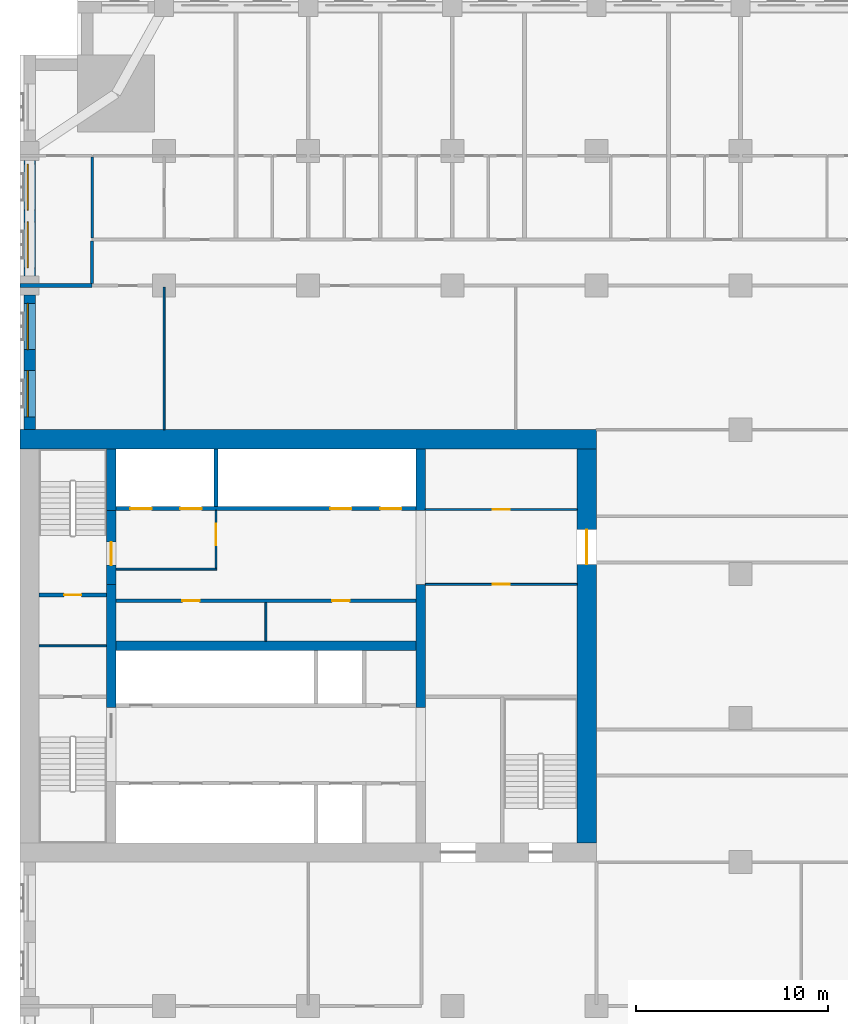
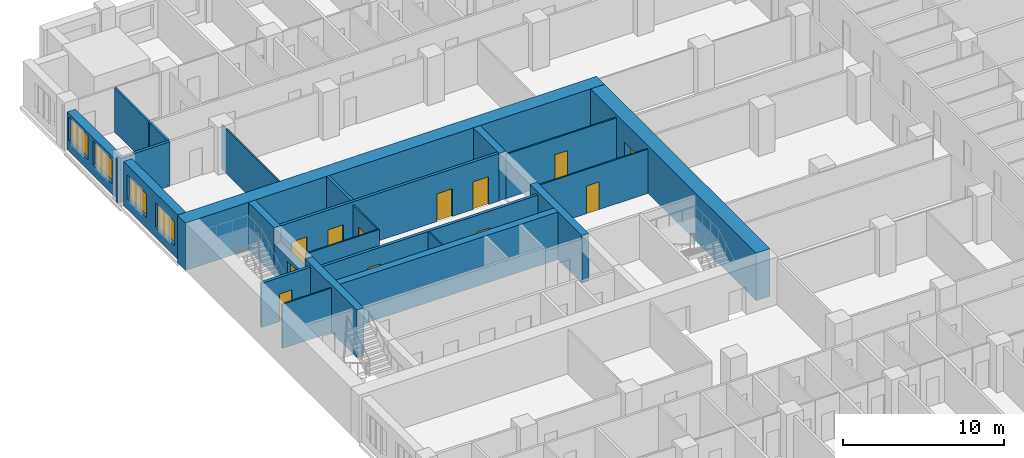
# One storey, part 8 of 15: 24 walls, 12 doors, 4 windows, 16 openings.
"""IFC4 building model written with IfcOpenShell, lengths in metres."""

from ifc_helpers import new_model, si_unit, direction, frame, frame_2d, origin, place, context, subcontext, project, spatial, rectangle, extrude, material, layer, layer_set, type_object, element, fill, save


model = new_model("IFC4")

# Units and contexts
model_context = context("Model", 3, precision=1e-05, world=origin(), true_north=direction((0.0, 1.0)))
body_context = subcontext(model_context, "Body", "Model", "MODEL_VIEW")
ifc_project = project(units=[si_unit("LENGTHUNIT", "METRE"), si_unit("AREAUNIT", "SQUARE_METRE"), si_unit("VOLUMEUNIT", "CUBIC_METRE"), si_unit("PLANEANGLEUNIT", "RADIAN"), si_unit("MASSUNIT", "GRAM", prefix="KILO")], contexts=[model_context])

# Site, building, storey
site_placement = place(None, origin())
site = spatial("IfcSite", under=ifc_project, at=site_placement, CompositionType="ELEMENT")
building_placement = place(site_placement, origin())
building = spatial("IfcBuilding", under=site, at=building_placement, Name="Tamorin Gate", CompositionType="ELEMENT")
storey_placement = place(building_placement, frame((0.0, 0.0, 62.800048828125)))
storey = spatial("IfcBuildingStorey", under=building, at=storey_placement, Name="L14", CompositionType="ELEMENT", Elevation=62.800048828125)

# Wall, openings, windows
ifc_material_1 = material(Name="Precast concrete C40/50", Category="concrete")
ifc_layer_1 = layer(ifc_material_1, 0.60009765625)
ifc_layer_set_1 = layer_set([ifc_layer_1], Name="Precast concrete C40/50")
wall_type_1 = type_object("IfcWallType", Name="Board-marked concrete facade panel 600", PredefinedType="SOLIDWALL", material=ifc_layer_set_1)
wall_1_placement = place(storey_placement, frame((30.5, 96.5, 0.0), z_axis=(0.0, 0.0, 1.0), x_axis=(0.0, -1.0, 0.0)))
wall_1 = element("IfcWall", 1, at=wall_1_placement, inside=storey, type_object=wall_type_1, Name="Facade panel", PredefinedType="SOLIDWALL", context=body_context, shape_type="SweptSolid", body=[
    extrude(rectangle(XDim=6.0, YDim=0.60009765625, at=frame_2d((3.0, 0.0))), origin(), (0.0, 0.0, 1.0), 2.849853515625),
])
opening_1_placement = place(wall_1_placement, frame((3.175048828125, 0.0, 0.800048828125)))
opening_1 = element("IfcOpeningElement", 2, at=opening_1_placement, cuts=wall_1, Name="Opening WN1", PredefinedType="OPENING", context=body_context, shape_type="SweptSolid", body=[
    extrude(rectangle(XDim=2.39990234375, YDim=1.800048828125, at=frame_2d((1.199951171875, 0.89990234375))), frame((0.0, 0.31005859375, 0.0), z_axis=(0.0, -1.0, 0.0), x_axis=(1.0, 0.0, 0.0)), (0.0, 0.0, 1.0), 0.6201171875),
])
opening_2_placement = place(wall_1_placement, frame((0.175048828125, 0.0, 0.800048828125)))
opening_2 = element("IfcOpeningElement", 3, at=opening_2_placement, cuts=wall_1, Name="Opening WN1", PredefinedType="OPENING", context=body_context, shape_type="SweptSolid", body=[
    extrude(rectangle(XDim=2.39990234375, YDim=1.800048828125, at=frame_2d((1.199951171875, 0.89990234375))), frame((0.0, 0.31005859375, 0.0), z_axis=(0.0, -1.0, 0.0), x_axis=(1.0, 0.0, 0.0)), (0.0, 0.0, 1.0), 0.6201171875),
])
ifc_material_2 = material(Name="Clear glass in aluminium frame", Category="aluminium")
window_type = type_object("IfcWindowType", Name="Deep-set window 2400x1800", PartitioningType="SINGLE_PANEL", PredefinedType="WINDOW", material=ifc_material_2)
window_1_placement = place(opening_1_placement, origin())
window_1 = element("IfcWindow", 4, at=window_1_placement, inside=storey, type_object=window_type, Name="Deep-set window", OverallHeight=1.800048828125, OverallWidth=2.39990234375, PartitioningType="SINGLE_PANEL", PredefinedType="WINDOW", context=body_context, shape_type="SweptSolid", body=[
    extrude(rectangle(XDim=2.39990234375, YDim=1.800048828125, at=frame_2d((1.199951171875, 0.89990234375))), frame((0.0, -0.070068359375, 0.0), z_axis=(0.0, -1.0, 0.0), x_axis=(1.0, 0.0, 0.0)), (0.0, 0.0, 1.0), 0.06005859375),
])
fill(opening_1, window_1)
window_2_placement = place(opening_2_placement, origin())
window_2 = element("IfcWindow", 5, at=window_2_placement, inside=storey, type_object=window_type, Name="Deep-set window", OverallHeight=1.800048828125, OverallWidth=2.39990234375, PartitioningType="SINGLE_PANEL", PredefinedType="WINDOW", context=body_context, shape_type="SweptSolid", body=[
    extrude(rectangle(XDim=2.39990234375, YDim=1.800048828125, at=frame_2d((1.199951171875, 0.89990234375))), frame((0.0, -0.070068359375, 0.0), z_axis=(0.0, -1.0, 0.0), x_axis=(1.0, 0.0, 0.0)), (0.0, 0.0, 1.0), 0.06005859375),
])
fill(opening_2, window_2)

wall_2_placement = place(storey_placement, frame((30.5, 89.5, 0.0), z_axis=(0.0, 0.0, 1.0), x_axis=(0.0, -1.0, 0.0)))
wall_2 = element("IfcWall", 6, at=wall_2_placement, inside=storey, type_object=wall_type_1, Name="Facade panel", PredefinedType="SOLIDWALL", context=body_context, shape_type="SweptSolid", body=[
    extrude(rectangle(XDim=7.0, YDim=0.60009765625, at=frame_2d((3.5, 0.0))), origin(), (0.0, 0.0, 1.0), 3.349853515625),
])
opening_3_placement = place(wall_2_placement, frame((3.925048828125, 0.0, 0.800048828125)))
opening_3 = element("IfcOpeningElement", 7, at=opening_3_placement, cuts=wall_2, Name="Opening WN1", PredefinedType="OPENING", context=body_context, shape_type="SweptSolid", body=[
    extrude(rectangle(XDim=2.39990234375, YDim=1.800048828125, at=frame_2d((1.199951171875, 0.89990234375))), frame((0.0, 0.31005859375, 0.0), z_axis=(0.0, -1.0, 0.0), x_axis=(1.0, 0.0, 0.0)), (0.0, 0.0, 1.0), 0.6201171875),
])
opening_4_placement = place(wall_2_placement, frame((0.425048828125, 0.0, 0.800048828125)))
opening_4 = element("IfcOpeningElement", 8, at=opening_4_placement, cuts=wall_2, Name="Opening WN1", PredefinedType="OPENING", context=body_context, shape_type="SweptSolid", body=[
    extrude(rectangle(XDim=2.39990234375, YDim=1.800048828125, at=frame_2d((1.199951171875, 0.89990234375))), frame((0.0, 0.31005859375, 0.0), z_axis=(0.0, -1.0, 0.0), x_axis=(1.0, 0.0, 0.0)), (0.0, 0.0, 1.0), 0.6201171875),
])
window_3_placement = place(opening_3_placement, origin())
window_3 = element("IfcWindow", 9, at=window_3_placement, inside=storey, type_object=window_type, Name="Deep-set window", OverallHeight=1.800048828125, OverallWidth=2.39990234375, PartitioningType="SINGLE_PANEL", PredefinedType="WINDOW", context=body_context, shape_type="SweptSolid", body=[
    extrude(rectangle(XDim=2.39990234375, YDim=1.800048828125, at=frame_2d((1.199951171875, 0.89990234375))), frame((0.0, -0.070068359375, 0.0), z_axis=(0.0, -1.0, 0.0), x_axis=(1.0, 0.0, 0.0)), (0.0, 0.0, 1.0), 0.06005859375),
])
fill(opening_3, window_3)
window_4_placement = place(opening_4_placement, origin())
window_4 = element("IfcWindow", 10, at=window_4_placement, inside=storey, type_object=window_type, Name="Deep-set window", OverallHeight=1.800048828125, OverallWidth=2.39990234375, PartitioningType="SINGLE_PANEL", PredefinedType="WINDOW", context=body_context, shape_type="SweptSolid", body=[
    extrude(rectangle(XDim=2.39990234375, YDim=1.800048828125, at=frame_2d((1.199951171875, 0.89990234375))), frame((0.0, -0.070068359375, 0.0), z_axis=(0.0, -1.0, 0.0), x_axis=(1.0, 0.0, 0.0)), (0.0, 0.0, 1.0), 0.06005859375),
])
fill(opening_4, window_4)

# Walls
ifc_material_3 = material(Name="Gypsum board partition")
ifc_layer_2 = layer(ifc_material_3, 0.14990234375)
ifc_layer_set_2 = layer_set([ifc_layer_2], Name="Corridor wall 150")
wall_type_2 = type_object("IfcWallType", Name="Corridor wall 150", PredefinedType="PARTITIONING", material=ifc_layer_set_2)
wall_3_placement = place(storey_placement, frame((33.75, 90.10009765625, 0.0), z_axis=(0.0, 0.0, 1.0), x_axis=(0.0, 1.0, 0.0)))
element("IfcWall", 11, at=wall_3_placement, inside=storey, type_object=wall_type_2, Name="Corridor wall 150", PredefinedType="PARTITIONING", context=body_context, shape_type="SweptSolid", body=[
    extrude(rectangle(XDim=2.224853515625, YDim=0.14990234375, at=frame_2d((1.1123046875, 0.0))), origin(), (0.0, 0.0, 1.0), 3.349853515625),
])
ifc_layer_3 = layer(ifc_material_3, 0.199951171875)
ifc_layer_set_3 = layer_set([ifc_layer_3], Name="Demising wall 200")
wall_type_3 = type_object("IfcWallType", Name="Demising wall 200", PredefinedType="PARTITIONING", material=ifc_layer_set_3)
wall_4_placement = place(storey_placement, frame((30.0, 90.0, 0.0), z_axis=(0.0, 0.0, 1.0), x_axis=(1.0, 0.0, 0.0)))
element("IfcWall", 12, at=wall_4_placement, inside=storey, type_object=wall_type_3, Name="Demising wall 200", PredefinedType="PARTITIONING", context=body_context, shape_type="SweptSolid", body=[
    extrude(rectangle(XDim=3.75, YDim=0.199951171875, at=frame_2d((1.875, 0.0))), origin(), (0.0, 0.0, 1.0), 3.349853515625),
])

# Wall, openings, doors
ifc_material_4 = material(Name="Concrete C32/40", Category="concrete")
ifc_layer_4 = layer(ifc_material_4, 0.199951171875)
ifc_layer_set_4 = layer_set([ifc_layer_4], Name="Lift lobby face wall 200 EI 120")
wall_type_4 = type_object("IfcWallType", Name="Lift lobby face wall 200 EI 120", PredefinedType="SOLIDWALL", material=ifc_layer_set_4)
wall_5_placement = place(storey_placement, frame((35.0, 78.39990234375, 0.0), z_axis=(0.0, 0.0, 1.0), x_axis=(1.0, 0.0, 0.0)))
wall_5 = element("IfcWall", 13, at=wall_5_placement, inside=storey, type_object=wall_type_4, Name="Lift lobby face wall", PredefinedType="SOLIDWALL", context=body_context, shape_type="SweptSolid", body=[
    extrude(rectangle(XDim=15.60009765625, YDim=0.199951171875, at=frame_2d((7.800048828125, 0.0))), origin(), (0.0, 0.0, 1.0), 3.599853515625),
])
opening_5_placement = place(wall_5_placement, frame((0.75, 0.0, 0.0)))
opening_5 = element("IfcOpeningElement", 14, at=opening_5_placement, cuts=wall_5, Name="Opening LD17", PredefinedType="OPENING", context=body_context, shape_type="SweptSolid", body=[
    extrude(rectangle(XDim=1.10009765625, YDim=2.10009765625, at=frame_2d((0.550048828125, 1.050048828125))), frame((0.0, 0.10986328125, 0.0), z_axis=(0.0, -1.0, 0.0), x_axis=(1.0, 0.0, 0.0)), (0.0, 0.0, 1.0), 0.219970703125),
])
opening_6_placement = place(wall_5_placement, frame((3.35009765625, 0.0, 0.0)))
opening_6 = element("IfcOpeningElement", 15, at=opening_6_placement, cuts=wall_5, Name="Opening LD18", PredefinedType="OPENING", context=body_context, shape_type="SweptSolid", body=[
    extrude(rectangle(XDim=1.10009765625, YDim=2.10009765625, at=frame_2d((0.550048828125, 1.050048828125))), frame((0.0, 0.10986328125, 0.0), z_axis=(0.0, -1.0, 0.0), x_axis=(1.0, 0.0, 0.0)), (0.0, 0.0, 1.0), 0.219970703125),
])
opening_7_placement = place(wall_5_placement, frame((11.14990234375, 0.0, 0.0)))
opening_7 = element("IfcOpeningElement", 16, at=opening_7_placement, cuts=wall_5, Name="Opening LD21", PredefinedType="OPENING", context=body_context, shape_type="SweptSolid", body=[
    extrude(rectangle(XDim=1.10009765625, YDim=2.10009765625, at=frame_2d((0.550048828125, 1.050048828125))), frame((0.0, 0.10986328125, 0.0), z_axis=(0.0, -1.0, 0.0), x_axis=(1.0, 0.0, 0.0)), (0.0, 0.0, 1.0), 0.219970703125),
])
opening_8_placement = place(wall_5_placement, frame((13.75, 0.0, 0.0)))
opening_8 = element("IfcOpeningElement", 17, at=opening_8_placement, cuts=wall_5, Name="Opening LD22", PredefinedType="OPENING", context=body_context, shape_type="SweptSolid", body=[
    extrude(rectangle(XDim=1.10009765625, YDim=2.10009765625, at=frame_2d((0.550048828125, 1.050048828125))), frame((0.0, 0.10986328125, 0.0), z_axis=(0.0, -1.0, 0.0), x_axis=(1.0, 0.0, 0.0)), (0.0, 0.0, 1.0), 0.219970703125),
])
ifc_material_5 = material(Name="Stainless steel sliding door", Category="steel")
door_type_1 = type_object("IfcDoorType", Name="Lift landing door 1100 x 2100 E 90", OperationType="DOUBLE_DOOR_SLIDING", PredefinedType="DOOR", material=ifc_material_5)
door_1_placement = place(opening_5_placement, origin())
door_1 = element("IfcDoor", 18, at=door_1_placement, inside=storey, type_object=door_type_1, Name="FF1 landing door", OperationType="DOUBLE_DOOR_SLIDING", OverallHeight=2.10009765625, OverallWidth=1.10009765625, PredefinedType="DOOR", context=body_context, shape_type="SweptSolid", body=[
    extrude(rectangle(XDim=1.10009765625, YDim=2.10009765625, at=frame_2d((0.550048828125, 1.050048828125))), frame((0.0, 0.02490234375, 0.0), z_axis=(0.0, -1.0, 0.0), x_axis=(1.0, 0.0, 0.0)), (0.0, 0.0, 1.0), 0.050048828125),
])
fill(opening_5, door_1)
door_2_placement = place(opening_6_placement, origin())
door_2 = element("IfcDoor", 19, at=door_2_placement, inside=storey, type_object=door_type_1, Name="FF2 landing door", OperationType="DOUBLE_DOOR_SLIDING", OverallHeight=2.10009765625, OverallWidth=1.10009765625, PredefinedType="DOOR", context=body_context, shape_type="SweptSolid", body=[
    extrude(rectangle(XDim=1.10009765625, YDim=2.10009765625, at=frame_2d((0.550048828125, 1.050048828125))), frame((0.0, 0.02490234375, 0.0), z_axis=(0.0, -1.0, 0.0), x_axis=(1.0, 0.0, 0.0)), (0.0, 0.0, 1.0), 0.050048828125),
])
fill(opening_6, door_2)
door_3_placement = place(opening_7_placement, origin())
door_3 = element("IfcDoor", 20, at=door_3_placement, inside=storey, type_object=door_type_1, Name="SV1 landing door", OperationType="DOUBLE_DOOR_SLIDING", OverallHeight=2.10009765625, OverallWidth=1.10009765625, PredefinedType="DOOR", context=body_context, shape_type="SweptSolid", body=[
    extrude(rectangle(XDim=1.10009765625, YDim=2.10009765625, at=frame_2d((0.550048828125, 1.050048828125))), frame((0.0, 0.02490234375, 0.0), z_axis=(0.0, -1.0, 0.0), x_axis=(1.0, 0.0, 0.0)), (0.0, 0.0, 1.0), 0.050048828125),
])
fill(opening_7, door_3)
door_4_placement = place(opening_8_placement, origin())
door_4 = element("IfcDoor", 21, at=door_4_placement, inside=storey, type_object=door_type_1, Name="SV2 landing door", OperationType="DOUBLE_DOOR_SLIDING", OverallHeight=2.10009765625, OverallWidth=1.10009765625, PredefinedType="DOOR", context=body_context, shape_type="SweptSolid", body=[
    extrude(rectangle(XDim=1.10009765625, YDim=2.10009765625, at=frame_2d((0.550048828125, 1.050048828125))), frame((0.0, 0.02490234375, 0.0), z_axis=(0.0, -1.0, 0.0), x_axis=(1.0, 0.0, 0.0)), (0.0, 0.0, 1.0), 0.050048828125),
])
fill(opening_8, door_4)

# Walls
ifc_layer_5 = layer(ifc_material_4, 0.199951171875)
ifc_layer_set_5 = layer_set([ifc_layer_5], Name="Lift shaft wall 200 EI 120")
wall_type_5 = type_object("IfcWallType", Name="Lift shaft wall 200 EI 120", PredefinedType="SOLIDWALL", material=ifc_layer_set_5)
wall_6_placement = place(storey_placement, frame((40.199951171875, 78.5, 0.0), z_axis=(0.0, 0.0, 1.0), x_axis=(0.0, 1.0, 0.0)))
element("IfcWall", 22, at=wall_6_placement, inside=storey, type_object=wall_type_5, Name="Lift shaft wall", PredefinedType="SOLIDWALL", context=body_context, shape_type="SweptSolid", body=[
    extrude(rectangle(XDim=3.0, YDim=0.199951171875, at=frame_2d((1.5, 0.0))), origin(), (0.0, 0.0, 1.0), 3.599853515625),
])
ifc_material_6 = material(Name="Fire-rated gypsum board partition")
ifc_layer_6 = layer(ifc_material_6, 0.10009765625)
ifc_layer_set_6 = layer_set([ifc_layer_6], Name="Lobby wall 100 EI 60")
wall_type_6 = type_object("IfcWallType", Name="Lobby wall 100 EI 60", PredefinedType="PARTITIONING", material=ifc_layer_set_6)
wall_7_placement = place(storey_placement, frame((35.0, 75.25, 0.0), z_axis=(0.0, 0.0, 1.0), x_axis=(1.0, 0.0, 0.0)))
element("IfcWall", 23, at=wall_7_placement, inside=storey, type_object=wall_type_6, Name="Firefighting lobby wall", PredefinedType="PARTITIONING", context=body_context, shape_type="SweptSolid", body=[
    extrude(rectangle(XDim=5.25, YDim=0.10009765625, at=frame_2d((2.625, 0.0))), origin(), (0.0, 0.0, 1.0), 3.349853515625),
])

# Wall, opening, door
wall_8_placement = place(storey_placement, frame((40.199951171875, 75.300048828125, 0.0), z_axis=(0.0, 0.0, 1.0), x_axis=(0.0, 1.0, 0.0)))
wall_8 = element("IfcWall", 24, at=wall_8_placement, inside=storey, type_object=wall_type_6, Name="Firefighting lobby wall", PredefinedType="PARTITIONING", context=body_context, shape_type="SweptSolid", body=[
    extrude(rectangle(XDim=3.0, YDim=0.10009765625, at=frame_2d((1.5, 0.0))), origin(), (0.0, 0.0, 1.0), 3.349853515625),
])
opening_9_placement = place(wall_8_placement, frame((1.199951171875, 0.0, 0.0)))
opening_9 = element("IfcOpeningElement", 25, at=opening_9_placement, cuts=wall_8, Name="Opening DF1", PredefinedType="OPENING", context=body_context, shape_type="SweptSolid", body=[
    extrude(rectangle(XDim=1.10009765625, YDim=2.10009765625, at=frame_2d((0.550048828125, 1.050048828125))), frame((0.0, 0.06005859375, 0.0), z_axis=(0.0, -1.0, 0.0), x_axis=(1.0, 0.0, 0.0)), (0.0, 0.0, 1.0), 0.1201171875),
])
ifc_material_7 = material(Name="Steel fire door", Category="steel")
door_type_2 = type_object("IfcDoorType", Name="Firefighting lobby door 1100 x 2100 EI 90", OperationType="SINGLE_SWING_LEFT", PredefinedType="DOOR", material=ifc_material_7)
door_5_placement = place(opening_9_placement, origin())
door_5 = element("IfcDoor", 26, at=door_5_placement, inside=storey, type_object=door_type_2, Name="Firefighting lobby door", OperationType="SINGLE_SWING_LEFT", OverallHeight=2.10009765625, OverallWidth=1.10009765625, PredefinedType="DOOR", context=body_context, shape_type="SweptSolid", body=[
    extrude(rectangle(XDim=1.10009765625, YDim=2.10009765625, at=frame_2d((0.550048828125, 1.050048828125))), frame((0.0, 0.02490234375, 0.0), z_axis=(0.0, -1.0, 0.0), x_axis=(1.0, 0.0, 0.0)), (0.0, 0.0, 1.0), 0.050048828125),
])
fill(opening_9, door_5)

# Walls
ifc_material_8 = material(Name="Concrete C80/95", Category="concrete")
ifc_layer_7 = layer(ifc_material_8, 0.5)
ifc_layer_set_7 = layer_set([ifc_layer_7], Name="RC core internal wall 500 C80/95")
wall_type_7 = type_object("IfcWallType", Name="RC core internal wall 500 C80/95", PredefinedType="SHEAR", material=ifc_layer_set_7)
wall_9_placement = place(storey_placement, frame((35.0, 71.25, 0.0), z_axis=(0.0, 0.0, 1.0), x_axis=(1.0, 0.0, 0.0)))
element("IfcWall", 27, at=wall_9_placement, inside=storey, type_object=wall_type_7, Name="Core spine wall L14", PredefinedType="SHEAR", context=body_context, shape_type="SweptSolid", body=[
    extrude(rectangle(XDim=15.60009765625, YDim=0.5, at=frame_2d((7.800048828125, 0.0))), origin(), (0.0, 0.0, 1.0), 3.599853515625),
])
wall_10_placement = place(storey_placement, frame((34.75, 68.050048828125, 0.0), z_axis=(0.0, 0.0, 1.0), x_axis=(0.0, 1.0, 0.0)))
element("IfcWall", 28, at=wall_10_placement, inside=storey, type_object=wall_type_7, Name="Core cross wall L14", PredefinedType="SHEAR", context=body_context, shape_type="SweptSolid", body=[
    extrude(rectangle(XDim=6.39990234375, YDim=0.5, at=frame_2d((3.199951171875, 0.0))), origin(), (0.0, 0.0, 1.0), 3.599853515625),
])
wall_11_placement = place(storey_placement, frame((34.75, 78.300048828125, 0.0), z_axis=(0.0, 0.0, 1.0), x_axis=(0.0, 1.0, 0.0)))
element("IfcWall", 29, at=wall_11_placement, inside=storey, type_object=wall_type_7, Name="Core cross wall L14", PredefinedType="SHEAR", context=body_context, shape_type="SweptSolid", body=[
    extrude(rectangle(XDim=3.199951171875, YDim=0.5, at=frame_2d((1.60009765625, 0.0))), origin(), (0.0, 0.0, 1.0), 3.599853515625),
])
wall_12_placement = place(storey_placement, frame((50.85009765625, 68.050048828125, 0.0), z_axis=(0.0, 0.0, 1.0), x_axis=(0.0, 1.0, 0.0)))
element("IfcWall", 30, at=wall_12_placement, inside=storey, type_object=wall_type_7, Name="Core cross wall L14", PredefinedType="SHEAR", context=body_context, shape_type="SweptSolid", body=[
    extrude(rectangle(XDim=6.39990234375, YDim=0.5, at=frame_2d((3.199951171875, 0.0))), origin(), (0.0, 0.0, 1.0), 3.599853515625),
])
wall_13_placement = place(storey_placement, frame((50.85009765625, 78.300048828125, 0.0), z_axis=(0.0, 0.0, 1.0), x_axis=(0.0, 1.0, 0.0)))
element("IfcWall", 31, at=wall_13_placement, inside=storey, type_object=wall_type_7, Name="Core cross wall L14", PredefinedType="SHEAR", context=body_context, shape_type="SweptSolid", body=[
    extrude(rectangle(XDim=3.199951171875, YDim=0.5, at=frame_2d((1.60009765625, 0.0))), origin(), (0.0, 0.0, 1.0), 3.599853515625),
])
ifc_layer_8 = layer(ifc_material_8, 1.0)
ifc_layer_set_8 = layer_set([ifc_layer_8], Name="RC core wall 1000 C80/95")
wall_type_8 = type_object("IfcWallType", Name="RC core wall 1000 C80/95", PredefinedType="SHEAR", material=ifc_layer_set_8)
wall_14_placement = place(storey_placement, frame((30.0, 82.0, 0.0), z_axis=(0.0, 0.0, 1.0), x_axis=(1.0, 0.0, 0.0)))
element("IfcWall", 32, at=wall_14_placement, inside=storey, type_object=wall_type_8, Name="Core wall L14", PredefinedType="SHEAR", context=body_context, shape_type="SweptSolid", body=[
    extrude(rectangle(XDim=30.0, YDim=1.0, at=frame_2d((15.0, 0.0))), origin(), (0.0, 0.0, 1.0), 3.599853515625),
])

# Wall, opening, door
wall_15_placement = place(storey_placement, frame((59.5, 61.0, 0.0), z_axis=(0.0, 0.0, 1.0), x_axis=(0.0, 1.0, 0.0)))
wall_15 = element("IfcWall", 33, at=wall_15_placement, inside=storey, type_object=wall_type_8, Name="Core wall L14", PredefinedType="SHEAR", context=body_context, shape_type="SweptSolid", body=[
    extrude(rectangle(XDim=20.5, YDim=1.0, at=frame_2d((10.25, 0.0))), origin(), (0.0, 0.0, 1.0), 3.599853515625),
])
opening_10_placement = place(wall_15_placement, frame((14.5, 0.0, 0.0)))
opening_10 = element("IfcOpeningElement", 34, at=opening_10_placement, cuts=wall_15, Name="Opening DE1", PredefinedType="OPENING", context=body_context, shape_type="SweptSolid", body=[
    extrude(rectangle(XDim=1.800048828125, YDim=2.10009765625, at=frame_2d((0.89990234375, 1.050048828125))), frame((0.0, 0.510009765625, 0.0), z_axis=(0.0, -1.0, 0.0), x_axis=(1.0, 0.0, 0.0)), (0.0, 0.0, 1.0), 1.02001953125),
])
door_type_3 = type_object("IfcDoorType", Name="Lobby exit double door 1800 x 2100 EI 60", OperationType="DOUBLE_DOOR_SINGLE_SWING", PredefinedType="DOOR", material=ifc_material_7)
door_6_placement = place(opening_10_placement, origin())
door_6 = element("IfcDoor", 35, at=door_6_placement, inside=storey, type_object=door_type_3, Name="Lift lobby B exit door", OperationType="DOUBLE_DOOR_SINGLE_SWING", OverallHeight=2.10009765625, OverallWidth=1.800048828125, PredefinedType="DOOR", context=body_context, shape_type="SweptSolid", body=[
    extrude(rectangle(XDim=1.800048828125, YDim=2.10009765625, at=frame_2d((0.89990234375, 1.050048828125))), frame((0.0, 0.02490234375, 0.0), z_axis=(0.0, -1.0, 0.0), x_axis=(1.0, 0.0, 0.0)), (0.0, 0.0, 1.0), 0.050048828125),
])
fill(opening_10, door_6)

# Walls
ifc_layer_9 = layer(ifc_material_6, 0.10009765625)
ifc_layer_set_9 = layer_set([ifc_layer_9], Name="Riser partition 100 EI 120")
wall_type_9 = type_object("IfcWallType", Name="Riser partition 100 EI 120", PredefinedType="PARTITIONING", material=ifc_layer_set_9)
wall_16_placement = place(storey_placement, frame((31.0, 71.25, 0.0), z_axis=(0.0, 0.0, 1.0), x_axis=(1.0, 0.0, 0.0)))
element("IfcWall", 36, at=wall_16_placement, inside=storey, type_object=wall_type_9, Name="Riser partition", PredefinedType="PARTITIONING", context=body_context, shape_type="SweptSolid", body=[
    extrude(rectangle(XDim=3.5, YDim=0.10009765625, at=frame_2d((1.75, 0.0))), origin(), (0.0, 0.0, 1.0), 3.349853515625),
])
ifc_layer_10 = layer(ifc_material_3, 0.10009765625)
ifc_layer_set_10 = layer_set([ifc_layer_10], Name="Room partition 100")
wall_type_10 = type_object("IfcWallType", Name="Room partition 100", PredefinedType="PARTITIONING", material=ifc_layer_set_10)
wall_17_placement = place(storey_placement, frame((37.5, 82.5, 0.0), z_axis=(0.0, 0.0, 1.0), x_axis=(0.0, 1.0, 0.0)))
element("IfcWall", 37, at=wall_17_placement, inside=storey, type_object=wall_type_10, Name="Room partition 100", PredefinedType="PARTITIONING", context=body_context, shape_type="SweptSolid", body=[
    extrude(rectangle(XDim=7.425048828125, YDim=0.10009765625, at=frame_2d((3.71240234375, 0.0))), origin(), (0.0, 0.0, 1.0), 3.349853515625),
])

# Wall, openings, doors
ifc_layer_11 = layer(ifc_material_3, 0.199951171875)
ifc_layer_set_11 = layer_set([ifc_layer_11], Name="Service room face wall 200 EI 60")
wall_type_11 = type_object("IfcWallType", Name="Service room face wall 200 EI 60", PredefinedType="PARTITIONING", material=ifc_layer_set_11)
wall_18_placement = place(storey_placement, frame((35.0, 73.60009765625, 0.0), z_axis=(0.0, 0.0, 1.0), x_axis=(1.0, 0.0, 0.0)))
wall_18 = element("IfcWall", 38, at=wall_18_placement, inside=storey, type_object=wall_type_11, Name="Service room face wall", PredefinedType="PARTITIONING", context=body_context, shape_type="SweptSolid", body=[
    extrude(rectangle(XDim=15.60009765625, YDim=0.199951171875, at=frame_2d((7.800048828125, 0.0))), origin(), (0.0, 0.0, 1.0), 3.349853515625),
])
opening_11_placement = place(wall_18_placement, frame((3.449951171875, 0.0, 0.0)))
opening_11 = element("IfcOpeningElement", 39, at=opening_11_placement, cuts=wall_18, Name="Opening DK1", PredefinedType="OPENING", context=body_context, shape_type="SweptSolid", body=[
    extrude(rectangle(XDim=0.89990234375, YDim=2.10009765625, at=frame_2d((0.449951171875, 1.050048828125))), frame((0.0, 0.10986328125, 0.0), z_axis=(0.0, -1.0, 0.0), x_axis=(1.0, 0.0, 0.0)), (0.0, 0.0, 1.0), 0.219970703125),
])
opening_12_placement = place(wall_18_placement, frame((11.25, 0.0, 0.0)))
opening_12 = element("IfcOpeningElement", 40, at=opening_12_placement, cuts=wall_18, Name="Opening DK1", PredefinedType="OPENING", context=body_context, shape_type="SweptSolid", body=[
    extrude(rectangle(XDim=0.89990234375, YDim=2.10009765625, at=frame_2d((0.449951171875, 1.050048828125))), frame((0.0, 0.10986328125, 0.0), z_axis=(0.0, -1.0, 0.0), x_axis=(1.0, 0.0, 0.0)), (0.0, 0.0, 1.0), 0.219970703125),
])
ifc_material_9 = material(Name="Timber fire door", Category="wood")
door_type_4 = type_object("IfcDoorType", Name="Service room door 900 x 2100 EI 60", OperationType="SINGLE_SWING_LEFT", PredefinedType="DOOR", material=ifc_material_9)
door_7_placement = place(opening_11_placement, origin())
door_7 = element("IfcDoor", 41, at=door_7_placement, inside=storey, type_object=door_type_4, Name="Door Housekeeping store", OperationType="SINGLE_SWING_RIGHT", OverallHeight=2.10009765625, OverallWidth=0.89990234375, PredefinedType="DOOR", context=body_context, shape_type="SweptSolid", body=[
    extrude(rectangle(XDim=0.89990234375, YDim=2.10009765625, at=frame_2d((0.449951171875, 1.050048828125))), frame((0.0, 0.02490234375, 0.0), z_axis=(0.0, -1.0, 0.0), x_axis=(1.0, 0.0, 0.0)), (0.0, 0.0, 1.0), 0.050048828125),
])
fill(opening_11, door_7)
door_8_placement = place(opening_12_placement, origin())
door_8 = element("IfcDoor", 42, at=door_8_placement, inside=storey, type_object=door_type_4, Name="Door IT room", OperationType="SINGLE_SWING_LEFT", OverallHeight=2.10009765625, OverallWidth=0.89990234375, PredefinedType="DOOR", context=body_context, shape_type="SweptSolid", body=[
    extrude(rectangle(XDim=0.89990234375, YDim=2.10009765625, at=frame_2d((0.449951171875, 1.050048828125))), frame((0.0, 0.02490234375, 0.0), z_axis=(0.0, -1.0, 0.0), x_axis=(1.0, 0.0, 0.0)), (0.0, 0.0, 1.0), 0.050048828125),
])
fill(opening_12, door_8)

# Wall
ifc_layer_12 = layer(ifc_material_3, 0.10009765625)
ifc_layer_set_12 = layer_set([ifc_layer_12], Name="Service room partition 100 EI 60")
wall_type_12 = type_object("IfcWallType", Name="Service room partition 100 EI 60", PredefinedType="PARTITIONING", material=ifc_layer_set_12)
wall_19_placement = place(storey_placement, frame((42.800048828125, 71.5, 0.0), z_axis=(0.0, 0.0, 1.0), x_axis=(0.0, 1.0, 0.0)))
element("IfcWall", 43, at=wall_19_placement, inside=storey, type_object=wall_type_12, Name="Service room partition", PredefinedType="PARTITIONING", context=body_context, shape_type="SweptSolid", body=[
    extrude(rectangle(XDim=2.0, YDim=0.10009765625, at=frame_2d((1.0, 0.0))), origin(), (0.0, 0.0, 1.0), 3.349853515625),
])

# Wall, opening, door
wall_20_placement = place(storey_placement, frame((51.10009765625, 74.449951171875, 0.0), z_axis=(0.0, 0.0, 1.0), x_axis=(1.0, 0.0, 0.0)))
wall_20 = element("IfcWall", 44, at=wall_20_placement, inside=storey, type_object=wall_type_12, Name="Service room wall", PredefinedType="PARTITIONING", context=body_context, shape_type="SweptSolid", body=[
    extrude(rectangle(XDim=7.89990234375, YDim=0.10009765625, at=frame_2d((3.949951171875, 0.0))), origin(), (0.0, 0.0, 1.0), 3.349853515625),
])
opening_13_placement = place(wall_20_placement, frame((3.5, 0.0, 0.0)))
opening_13 = element("IfcOpeningElement", 45, at=opening_13_placement, cuts=wall_20, Name="Opening DR1", PredefinedType="OPENING", context=body_context, shape_type="SweptSolid", body=[
    extrude(rectangle(XDim=0.89990234375, YDim=2.10009765625, at=frame_2d((0.449951171875, 1.050048828125))), frame((0.0, 0.06005859375, 0.0), z_axis=(0.0, -1.0, 0.0), x_axis=(1.0, 0.0, 0.0)), (0.0, 0.0, 1.0), 0.1201171875),
])
door_type_5 = type_object("IfcDoorType", Name="Riser access door 900 x 2100 EI 120", OperationType="SINGLE_SWING_LEFT", PredefinedType="DOOR", material=ifc_material_7)
door_9_placement = place(opening_13_placement, origin())
door_9 = element("IfcDoor", 46, at=door_9_placement, inside=storey, type_object=door_type_5, Name="Duct riser door", OperationType="SINGLE_SWING_RIGHT", OverallHeight=2.10009765625, OverallWidth=0.89990234375, PredefinedType="DOOR", context=body_context, shape_type="SweptSolid", body=[
    extrude(rectangle(XDim=0.89990234375, YDim=2.10009765625, at=frame_2d((0.449951171875, 1.050048828125))), frame((0.0, 0.02490234375, 0.0), z_axis=(0.0, -1.0, 0.0), x_axis=(1.0, 0.0, 0.0)), (0.0, 0.0, 1.0), 0.050048828125),
])
fill(opening_13, door_9)

wall_21_placement = place(storey_placement, frame((51.10009765625, 78.35009765625, 0.0), z_axis=(0.0, 0.0, 1.0), x_axis=(1.0, 0.0, 0.0)))
wall_21 = element("IfcWall", 47, at=wall_21_placement, inside=storey, type_object=wall_type_12, Name="Service room wall", PredefinedType="PARTITIONING", context=body_context, shape_type="SweptSolid", body=[
    extrude(rectangle(XDim=7.89990234375, YDim=0.10009765625, at=frame_2d((3.949951171875, 0.0))), origin(), (0.0, 0.0, 1.0), 3.349853515625),
])
opening_14_placement = place(wall_21_placement, frame((3.5, 0.0, 0.0)))
opening_14 = element("IfcOpeningElement", 48, at=opening_14_placement, cuts=wall_21, Name="Opening DK1", PredefinedType="OPENING", context=body_context, shape_type="SweptSolid", body=[
    extrude(rectangle(XDim=0.89990234375, YDim=2.10009765625, at=frame_2d((0.449951171875, 1.050048828125))), frame((0.0, 0.06005859375, 0.0), z_axis=(0.0, -1.0, 0.0), x_axis=(1.0, 0.0, 0.0)), (0.0, 0.0, 1.0), 0.1201171875),
])
door_10_placement = place(opening_14_placement, origin())
door_10 = element("IfcDoor", 49, at=door_10_placement, inside=storey, type_object=door_type_4, Name="Door Pantry", OperationType="SINGLE_SWING_RIGHT", OverallHeight=2.10009765625, OverallWidth=0.89990234375, PredefinedType="DOOR", context=body_context, shape_type="SweptSolid", body=[
    extrude(rectangle(XDim=0.89990234375, YDim=2.10009765625, at=frame_2d((0.449951171875, 1.050048828125))), frame((0.0, 0.02490234375, 0.0), z_axis=(0.0, -1.0, 0.0), x_axis=(1.0, 0.0, 0.0)), (0.0, 0.0, 1.0), 0.050048828125),
])
fill(opening_14, door_10)

ifc_material_10 = material(Name="Concrete C40/50", Category="concrete")
ifc_layer_13 = layer(ifc_material_10, 0.199951171875)
ifc_layer_set_13 = layer_set([ifc_layer_13], Name="Stair enclosure wall 200 EI 120 C40/50")
wall_type_13 = type_object("IfcWallType", Name="Stair enclosure wall 200 EI 120 C40/50", PredefinedType="SOLIDWALL", material=ifc_layer_set_13)
wall_22_placement = place(storey_placement, frame((31.0, 73.89990234375, 0.0), z_axis=(0.0, 0.0, 1.0), x_axis=(1.0, 0.0, 0.0)))
wall_22 = element("IfcWall", 50, at=wall_22_placement, inside=storey, type_object=wall_type_13, Name="Stair enclosure wall", PredefinedType="SOLIDWALL", context=body_context, shape_type="SweptSolid", body=[
    extrude(rectangle(XDim=3.5, YDim=0.199951171875, at=frame_2d((1.75, 0.0))), origin(), (0.0, 0.0, 1.0), 3.349853515625),
])
opening_15_placement = place(wall_22_placement, frame((1.300048828125, 0.0, 0.0)))
opening_15 = element("IfcOpeningElement", 51, at=opening_15_placement, cuts=wall_22, Name="Opening DR1", PredefinedType="OPENING", context=body_context, shape_type="SweptSolid", body=[
    extrude(rectangle(XDim=0.89990234375, YDim=2.10009765625, at=frame_2d((0.449951171875, 1.050048828125))), frame((0.0, 0.10986328125, 0.0), z_axis=(0.0, -1.0, 0.0), x_axis=(1.0, 0.0, 0.0)), (0.0, 0.0, 1.0), 0.219970703125),
])
door_11_placement = place(opening_15_placement, origin())
door_11 = element("IfcDoor", 52, at=door_11_placement, inside=storey, type_object=door_type_5, Name="Communications riser door", OperationType="SINGLE_SWING_RIGHT", OverallHeight=2.10009765625, OverallWidth=0.89990234375, PredefinedType="DOOR", context=body_context, shape_type="SweptSolid", body=[
    extrude(rectangle(XDim=0.89990234375, YDim=2.10009765625, at=frame_2d((0.449951171875, 1.050048828125))), frame((0.0, 0.02490234375, 0.0), z_axis=(0.0, -1.0, 0.0), x_axis=(1.0, 0.0, 0.0)), (0.0, 0.0, 1.0), 0.050048828125),
])
fill(opening_15, door_11)

ifc_layer_14 = layer(ifc_material_4, 0.5)
ifc_layer_set_14 = layer_set([ifc_layer_14], Name="Stair lobby infill wall 500 EI 120")
wall_type_14 = type_object("IfcWallType", Name="Stair lobby infill wall 500 EI 120", PredefinedType="SOLIDWALL", material=ifc_layer_set_14)
wall_23_placement = place(storey_placement, frame((34.75, 74.449951171875, 0.0), z_axis=(0.0, 0.0, 1.0), x_axis=(0.0, 1.0, 0.0)))
wall_23 = element("IfcWall", 53, at=wall_23_placement, inside=storey, type_object=wall_type_14, Name="Stair lobby infill wall", PredefinedType="SOLIDWALL", context=body_context, shape_type="SweptSolid", body=[
    extrude(rectangle(XDim=3.85009765625, YDim=0.5, at=frame_2d((1.925048828125, 0.0))), origin(), (0.0, 0.0, 1.0), 2.39990234375),
])
opening_16_placement = place(wall_23_placement, frame((1.0, 0.0, 0.0)))
opening_16 = element("IfcOpeningElement", 54, at=opening_16_placement, cuts=wall_23, Name="Opening DS1", PredefinedType="OPENING", context=body_context, shape_type="SweptSolid", body=[
    extrude(rectangle(XDim=1.199951171875, YDim=2.10009765625, at=frame_2d((0.60009765625, 1.050048828125))), frame((0.0, 0.260009765625, 0.0), z_axis=(0.0, -1.0, 0.0), x_axis=(1.0, 0.0, 0.0)), (0.0, 0.0, 1.0), 0.52001953125),
])
door_type_6 = type_object("IfcDoorType", Name="Stair door 1200 x 2100 EI 90", OperationType="SINGLE_SWING_LEFT", PredefinedType="DOOR", material=ifc_material_7)
door_12_placement = place(opening_16_placement, origin())
door_12 = element("IfcDoor", 55, at=door_12_placement, inside=storey, type_object=door_type_6, Name="ST2 door", OperationType="SINGLE_SWING_RIGHT", OverallHeight=2.10009765625, OverallWidth=1.199951171875, PredefinedType="DOOR", context=body_context, shape_type="SweptSolid", body=[
    extrude(rectangle(XDim=1.199951171875, YDim=2.10009765625, at=frame_2d((0.60009765625, 1.050048828125))), frame((0.0, 0.02490234375, 0.0), z_axis=(0.0, -1.0, 0.0), x_axis=(1.0, 0.0, 0.0)), (0.0, 0.0, 1.0), 0.050048828125),
])
fill(opening_16, door_12)

# Wall
ifc_layer_15 = layer(ifc_material_3, 0.125)
ifc_layer_set_15 = layer_set([ifc_layer_15], Name="Wet wall 125")
wall_type_15 = type_object("IfcWallType", Name="Wet wall 125", PredefinedType="PARTITIONING", material=ifc_layer_set_15)
wall_24_placement = place(storey_placement, frame((33.75, 92.47509765625, 0.0), z_axis=(0.0, 0.0, 1.0), x_axis=(0.0, 1.0, 0.0)))
element("IfcWall", 56, at=wall_24_placement, inside=storey, type_object=wall_type_15, Name="Wet wall 125", PredefinedType="PARTITIONING", context=body_context, shape_type="SweptSolid", body=[
    extrude(rectangle(XDim=4.21240234375, YDim=0.125, at=frame_2d((2.106201171875, 0.0))), origin(), (0.0, 0.0, 1.0), 3.349853515625),
])

save(model, "model.ifc")
